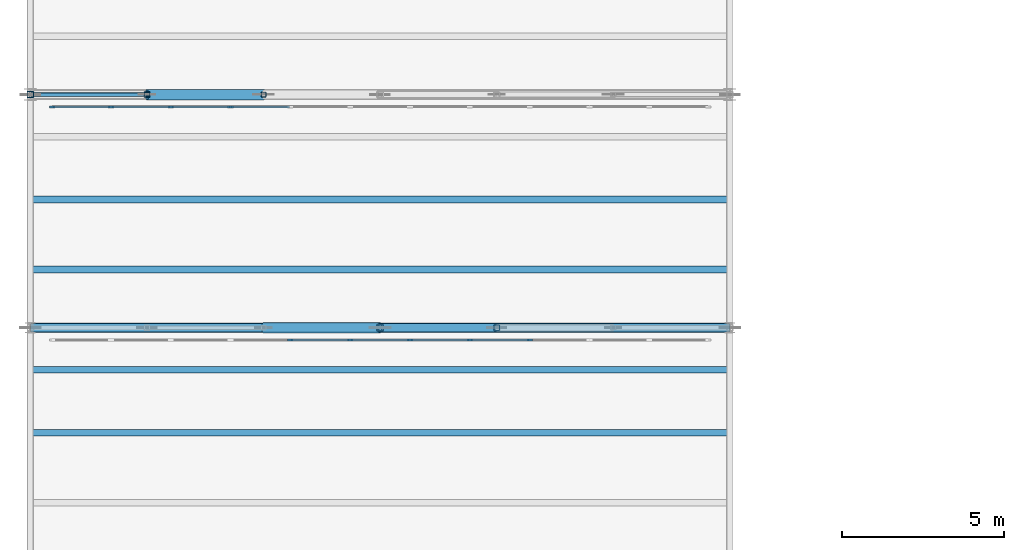
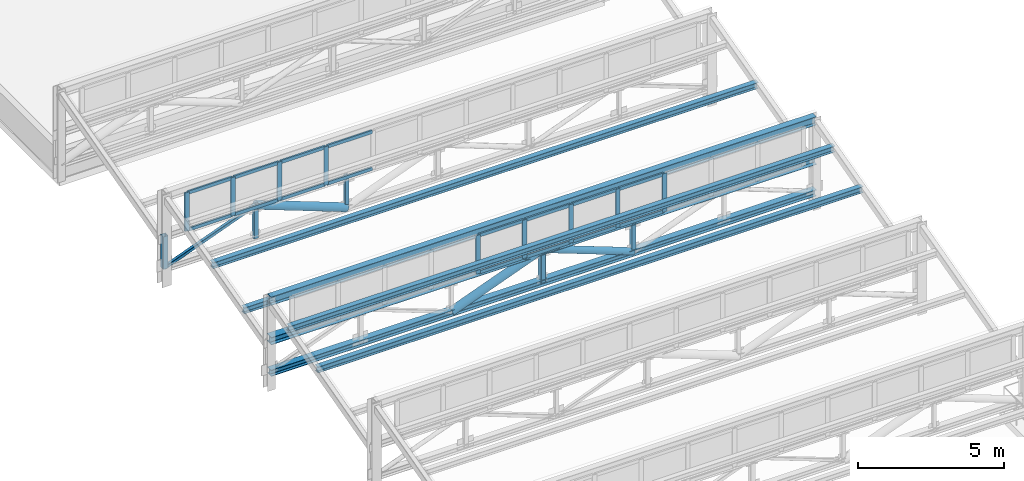
# One storey, part 16 of 55: 36 members, 5 beams, 2 elements without a shape of their own.
"""IFC4 building model written with IfcOpenShell, lengths in metres."""

from ifc_helpers import new_model, si_unit, direction, frame, origin, origin_2d, place, context, subcontext, project, spatial, rectangle, hollow_rectangle, hollow_circle, i_section, extrude, material, layer, layer_set, material_profile, profile_set, type_object, element, aggregate, save


model = new_model("IFC4")

# Units and contexts
model_context = context("Model", 3, precision=1e-05, world=origin(), true_north=direction((0.0, 1.0)))
body_context = subcontext(model_context, "Body", "Model", "MODEL_VIEW")
ifc_project = project(units=[si_unit("LENGTHUNIT", "METRE"), si_unit("AREAUNIT", "SQUARE_METRE"), si_unit("VOLUMEUNIT", "CUBIC_METRE"), si_unit("PLANEANGLEUNIT", "RADIAN"), si_unit("MASSUNIT", "GRAM", prefix="KILO")], contexts=[model_context])

# Site, building, storey
site_placement = place(None, origin())
site = spatial("IfcSite", under=ifc_project, at=site_placement, CompositionType="ELEMENT")
building_placement = place(site_placement, origin())
building = spatial("IfcBuilding", under=site, at=building_placement, Name="Solenvale Faculty of Natural Sciences", CompositionType="ELEMENT")
storey_placement = place(building_placement, frame((0.0, 0.0, 22.5)))
storey = spatial("IfcBuildingStorey", under=building, at=storey_placement, Name="L05", CompositionType="ELEMENT", Elevation=22.5)

# Beams
ifc_material_1 = material(Name="Steel S355", Category="steel")
ifc_material_profile_1 = material_profile(ifc_material_1, i_section(OverallWidth=0.202880859375, OverallDepth=0.251953125, WebThickness=0.008056640625, FlangeThickness=0.013427734375, FilletRadius=0.012939453125, at=origin_2d()), Name="W250x58")
ifc_profile_set_1 = profile_set([ifc_material_profile_1], Name="Steel S355")
beam_type_1 = type_object("IfcBeamType", Name="BM-PRL-W250x58", PredefinedType="JOIST", material=ifc_profile_set_1)
for number, where, z_axis, x_axis, name in (
    (1, (36.0, 47.159912109375, 2.773681640625), (1.0, 0.0, 0.0), (0.0, 1.0, 0.0), "V3 Sawtooth Purlin 5.1.2"),
    (2, (36.0, 49.10400390625, 3.294921875), (1.0, 0.0, 0.0), (0.0, 1.0, 0.0), "V3 Sawtooth Purlin 5.1.3"),
    (3, (36.0, 52.199951171875, 2.19482421875), (1.0, 0.0, 0.0), (0.0, 1.0, 0.0), "V3 Sawtooth Purlin 6.1.1"),
    (4, (36.0, 54.360107421875, 2.773681640625), (1.0, 0.0, 0.0), (0.0, 1.0, 0.0), "V3 Sawtooth Purlin 6.1.2"),
):
    element("IfcBeam", number, at=place(storey_placement, frame(where, z_axis=z_axis, x_axis=x_axis)), inside=storey, type_object=beam_type_1, Name=name, PredefinedType="JOIST", context=body_context, shape_type="SweptSolid", body=[
        extrude(i_section(OverallWidth=0.202880859375, OverallDepth=0.251953125, WebThickness=0.008056640625, FlangeThickness=0.013427734375, FilletRadius=0.012939453125, at=origin_2d()), origin(), (0.0, 0.0, 1.0), 21.60009765625),
    ])
ifc_material_profile_2 = material_profile(ifc_material_1, i_section(OverallWidth=0.2548828125, OverallDepth=0.35693359375, WebThickness=0.010498046875, FlangeThickness=0.018310546875, FilletRadius=0.014892578125, at=origin_2d()), Name="W360x101")
ifc_profile_set_2 = profile_set([ifc_material_profile_2], Name="Steel S355")
beam_type_2 = type_object("IfcBeamType", Name="BM-STL-W360x101", PredefinedType="JOIST", material=ifc_profile_set_2)
beam_placement = place(storey_placement, frame((36.0, 50.39990234375, 3.705078125), z_axis=(1.0, 0.0, 0.0), x_axis=(0.0, 1.0, 0.0)))
element("IfcBeam", 5, at=beam_placement, inside=storey, type_object=beam_type_2, Name="V3 Sawtooth Clerestory Ridge Beam 5.1", PredefinedType="JOIST", context=body_context, shape_type="SweptSolid", body=[
    extrude(i_section(OverallWidth=0.2548828125, OverallDepth=0.35693359375, WebThickness=0.010498046875, FlangeThickness=0.018310546875, FilletRadius=0.014892578125, at=origin_2d()), origin(), (0.0, 0.0, 1.0), 21.60009765625),
])

# Curtain wall, members
ifc_material_2 = material(Name="Anodised bronze aluminium", Category="aluminium")
ifc_layer = layer(ifc_material_2, 0.1650390625)
ifc_layer_set = layer_set([ifc_layer], Name="Anodised bronze aluminium")
curtain_wall_type = type_object("IfcCurtainWallType", Name="CW-SAW-CLR", PredefinedType="USERDEFINED", material=ifc_layer_set)
curtain_wall_1_placement = place(storey_placement, origin())
curtain_wall_1 = element("IfcCurtainWall", 6, at=curtain_wall_1_placement, inside=storey, type_object=curtain_wall_type, Name="L05 Curtain Wall SAW-V3-CW-5-1", ObjectType="NORTH LIGHT CLERESTORY", PredefinedType="USERDEFINED")
ifc_material_profile_3 = material_profile(ifc_material_2, rectangle(XDim=0.06494140625, YDim=0.175048828125, at=origin_2d()), Name="ALU-MUL-65x175")
ifc_profile_set_3 = profile_set([ifc_material_profile_3], Name="Anodised bronze aluminium")
member_type_1 = type_object("IfcMemberType", Name="CWM-ALU-65x175", PredefinedType="MULLION", material=ifc_profile_set_3)
member_1_placement = place(storey_placement, frame((51.418212890625, 50.02001953125, 2.22998046875), z_axis=(0.0, 0.0, 1.0), x_axis=(0.0, -1.0, 0.0)))
member_1 = element("IfcMember", 7, at=member_1_placement, type_object=member_type_1, Name="CW-05 mullion 4", PredefinedType="MULLION", context=body_context, shape_type="SweptSolid", body=[
    extrude(rectangle(XDim=0.06494140625, YDim=0.175048828125, at=origin_2d()), origin(), (0.0, 0.0, 1.0), 1.610107421875),
])
member_2_placement = place(storey_placement, frame((49.57080078125, 50.02001953125, 2.22998046875), z_axis=(0.0, 0.0, 1.0), x_axis=(0.0, -1.0, 0.0)))
member_2 = element("IfcMember", 8, at=member_2_placement, type_object=member_type_1, Name="CW-05 mullion 5", PredefinedType="MULLION", context=body_context, shape_type="SweptSolid", body=[
    extrude(rectangle(XDim=0.06494140625, YDim=0.175048828125, at=origin_2d()), origin(), (0.0, 0.0, 1.0), 1.610107421875),
])
member_3_placement = place(storey_placement, frame((47.7236328125, 50.02001953125, 2.22998046875), z_axis=(0.0, 0.0, 1.0), x_axis=(0.0, -1.0, 0.0)))
member_3 = element("IfcMember", 9, at=member_3_placement, type_object=member_type_1, Name="CW-05 mullion 6", PredefinedType="MULLION", context=body_context, shape_type="SweptSolid", body=[
    extrude(rectangle(XDim=0.06494140625, YDim=0.175048828125, at=origin_2d()), origin(), (0.0, 0.0, 1.0), 1.610107421875),
])
member_4_placement = place(storey_placement, frame((45.87646484375, 50.02001953125, 2.22998046875), z_axis=(0.0, 0.0, 1.0), x_axis=(0.0, -1.0, 0.0)))
member_4 = element("IfcMember", 10, at=member_4_placement, type_object=member_type_1, Name="CW-05 mullion 7", PredefinedType="MULLION", context=body_context, shape_type="SweptSolid", body=[
    extrude(rectangle(XDim=0.06494140625, YDim=0.175048828125, at=origin_2d()), origin(), (0.0, 0.0, 1.0), 1.610107421875),
])
member_5_placement = place(storey_placement, frame((44.029052734375, 50.02001953125, 2.22998046875), z_axis=(0.0, 0.0, 1.0), x_axis=(0.0, -1.0, 0.0)))
member_5 = element("IfcMember", 11, at=member_5_placement, type_object=member_type_1, Name="CW-05 mullion 8", PredefinedType="MULLION", context=body_context, shape_type="SweptSolid", body=[
    extrude(rectangle(XDim=0.06494140625, YDim=0.175048828125, at=origin_2d()), origin(), (0.0, 0.0, 1.0), 1.610107421875),
])

curtain_wall_2_placement = place(storey_placement, origin())
curtain_wall_2 = element("IfcCurtainWall", 12, at=curtain_wall_2_placement, inside=storey, type_object=curtain_wall_type, Name="L05 Curtain Wall SAW-V3-CW-6-1", ObjectType="NORTH LIGHT CLERESTORY", PredefinedType="USERDEFINED")
member_6_placement = place(storey_placement, frame((42.181884765625, 57.219970703125, 2.22998046875), z_axis=(0.0, 0.0, 1.0), x_axis=(0.0, -1.0, 0.0)))
member_6 = element("IfcMember", 13, at=member_6_placement, type_object=member_type_1, Name="CW-05 mullion 9", PredefinedType="MULLION", context=body_context, shape_type="SweptSolid", body=[
    extrude(rectangle(XDim=0.06494140625, YDim=0.175048828125, at=origin_2d()), origin(), (0.0, 0.0, 1.0), 1.610107421875),
])
member_7_placement = place(storey_placement, frame((40.33447265625, 57.219970703125, 2.22998046875), z_axis=(0.0, 0.0, 1.0), x_axis=(0.0, -1.0, 0.0)))
member_7 = element("IfcMember", 14, at=member_7_placement, type_object=member_type_1, Name="CW-05 mullion 10", PredefinedType="MULLION", context=body_context, shape_type="SweptSolid", body=[
    extrude(rectangle(XDim=0.06494140625, YDim=0.175048828125, at=origin_2d()), origin(), (0.0, 0.0, 1.0), 1.610107421875),
])
member_8_placement = place(storey_placement, frame((38.4873046875, 57.219970703125, 2.22998046875), z_axis=(0.0, 0.0, 1.0), x_axis=(0.0, -1.0, 0.0)))
member_8 = element("IfcMember", 15, at=member_8_placement, type_object=member_type_1, Name="CW-05 mullion 11", PredefinedType="MULLION", context=body_context, shape_type="SweptSolid", body=[
    extrude(rectangle(XDim=0.06494140625, YDim=0.175048828125, at=origin_2d()), origin(), (0.0, 0.0, 1.0), 1.610107421875),
])
member_9_placement = place(storey_placement, frame((36.672607421875, 57.219970703125, 2.22998046875), z_axis=(0.0, 0.0, 1.0), x_axis=(0.0, -1.0, 0.0)))
member_9 = element("IfcMember", 16, at=member_9_placement, type_object=member_type_1, Name="CW-05 mullion 12", PredefinedType="MULLION", context=body_context, shape_type="SweptSolid", body=[
    extrude(rectangle(XDim=0.06494140625, YDim=0.175048828125, at=origin_2d()), origin(), (0.0, 0.0, 1.0), 1.610107421875),
])

# Member
ifc_material_profile_4 = material_profile(ifc_material_2, rectangle(XDim=0.06494140625, YDim=0.135009765625, at=origin_2d()), Name="ALU-TRN-65x135")
ifc_profile_set_4 = profile_set([ifc_material_profile_4], Name="Anodised bronze aluminium")
member_type_2 = type_object("IfcMemberType", Name="CWT-ALU-65x135", PredefinedType="USERDEFINED", material=ifc_profile_set_4)
member_10_placement = place(storey_placement, frame((51.3857421875, 50.02001953125, 2.262451171875), z_axis=(-1.0, 0.0, 0.0), x_axis=(0.0, -1.0, 0.0)))
member_10 = element("IfcMember", 17, at=member_10_placement, type_object=member_type_2, Name="CW-05 transom 4.1", ObjectType="TRANSOM", PredefinedType="USERDEFINED", context=body_context, shape_type="SweptSolid", body=[
    extrude(rectangle(XDim=0.06494140625, YDim=0.135009765625, at=origin_2d()), origin(), (0.0, 0.0, 1.0), 1.7822265625),
])

member_11_placement = place(storey_placement, frame((51.3857421875, 50.02001953125, 3.8076171875), z_axis=(-1.0, 0.0, 0.0), x_axis=(0.0, -1.0, 0.0)))
member_11 = element("IfcMember", 18, at=member_11_placement, type_object=member_type_2, Name="CW-05 transom 4.2", ObjectType="TRANSOM", PredefinedType="USERDEFINED", context=body_context, shape_type="SweptSolid", body=[
    extrude(rectangle(XDim=0.06494140625, YDim=0.135009765625, at=origin_2d()), origin(), (0.0, 0.0, 1.0), 1.7822265625),
])

member_12_placement = place(storey_placement, frame((49.538330078125, 50.02001953125, 2.262451171875), z_axis=(-1.0, 0.0, 0.0), x_axis=(0.0, -1.0, 0.0)))
member_12 = element("IfcMember", 19, at=member_12_placement, type_object=member_type_2, Name="CW-05 transom 5.1", ObjectType="TRANSOM", PredefinedType="USERDEFINED", context=body_context, shape_type="SweptSolid", body=[
    extrude(rectangle(XDim=0.06494140625, YDim=0.135009765625, at=origin_2d()), origin(), (0.0, 0.0, 1.0), 1.7822265625),
])

member_13_placement = place(storey_placement, frame((49.538330078125, 50.02001953125, 3.8076171875), z_axis=(-1.0, 0.0, 0.0), x_axis=(0.0, -1.0, 0.0)))
member_13 = element("IfcMember", 20, at=member_13_placement, type_object=member_type_2, Name="CW-05 transom 5.2", ObjectType="TRANSOM", PredefinedType="USERDEFINED", context=body_context, shape_type="SweptSolid", body=[
    extrude(rectangle(XDim=0.06494140625, YDim=0.135009765625, at=origin_2d()), origin(), (0.0, 0.0, 1.0), 1.7822265625),
])

member_14_placement = place(storey_placement, frame((47.691162109375, 50.02001953125, 2.262451171875), z_axis=(-1.0, 0.0, 0.0), x_axis=(0.0, -1.0, 0.0)))
member_14 = element("IfcMember", 21, at=member_14_placement, type_object=member_type_2, Name="CW-05 transom 6.1", ObjectType="TRANSOM", PredefinedType="USERDEFINED", context=body_context, shape_type="SweptSolid", body=[
    extrude(rectangle(XDim=0.06494140625, YDim=0.135009765625, at=origin_2d()), origin(), (0.0, 0.0, 1.0), 1.7822265625),
])

member_15_placement = place(storey_placement, frame((47.691162109375, 50.02001953125, 3.8076171875), z_axis=(-1.0, 0.0, 0.0), x_axis=(0.0, -1.0, 0.0)))
member_15 = element("IfcMember", 22, at=member_15_placement, type_object=member_type_2, Name="CW-05 transom 6.2", ObjectType="TRANSOM", PredefinedType="USERDEFINED", context=body_context, shape_type="SweptSolid", body=[
    extrude(rectangle(XDim=0.06494140625, YDim=0.135009765625, at=origin_2d()), origin(), (0.0, 0.0, 1.0), 1.7822265625),
])

member_16_placement = place(storey_placement, frame((45.84375, 50.02001953125, 2.262451171875), z_axis=(-1.0, 0.0, 0.0), x_axis=(0.0, -1.0, 0.0)))
member_16 = element("IfcMember", 23, at=member_16_placement, type_object=member_type_2, Name="CW-05 transom 7.1", ObjectType="TRANSOM", PredefinedType="USERDEFINED", context=body_context, shape_type="SweptSolid", body=[
    extrude(rectangle(XDim=0.06494140625, YDim=0.135009765625, at=origin_2d()), origin(), (0.0, 0.0, 1.0), 1.7822265625),
])

member_17_placement = place(storey_placement, frame((45.84375, 50.02001953125, 3.8076171875), z_axis=(-1.0, 0.0, 0.0), x_axis=(0.0, -1.0, 0.0)))
member_17 = element("IfcMember", 24, at=member_17_placement, type_object=member_type_2, Name="CW-05 transom 7.2", ObjectType="TRANSOM", PredefinedType="USERDEFINED", context=body_context, shape_type="SweptSolid", body=[
    extrude(rectangle(XDim=0.06494140625, YDim=0.135009765625, at=origin_2d()), origin(), (0.0, 0.0, 1.0), 1.7822265625),
])

aggregate(curtain_wall_1, [member_1, member_2, member_3, member_4, member_5, member_10, member_11, member_12, member_13, member_14, member_15, member_16, member_17])

member_18_placement = place(storey_placement, frame((43.99658203125, 57.219970703125, 2.262451171875), z_axis=(-1.0, 0.0, 0.0), x_axis=(0.0, -1.0, 0.0)))
member_18 = element("IfcMember", 25, at=member_18_placement, type_object=member_type_2, Name="CW-05 transom 8.1", ObjectType="TRANSOM", PredefinedType="USERDEFINED", context=body_context, shape_type="SweptSolid", body=[
    extrude(rectangle(XDim=0.06494140625, YDim=0.135009765625, at=origin_2d()), origin(), (0.0, 0.0, 1.0), 1.7822265625),
])

member_19_placement = place(storey_placement, frame((43.99658203125, 57.219970703125, 3.8076171875), z_axis=(-1.0, 0.0, 0.0), x_axis=(0.0, -1.0, 0.0)))
member_19 = element("IfcMember", 26, at=member_19_placement, type_object=member_type_2, Name="CW-05 transom 8.2", ObjectType="TRANSOM", PredefinedType="USERDEFINED", context=body_context, shape_type="SweptSolid", body=[
    extrude(rectangle(XDim=0.06494140625, YDim=0.135009765625, at=origin_2d()), origin(), (0.0, 0.0, 1.0), 1.7822265625),
])

member_20_placement = place(storey_placement, frame((42.1494140625, 57.219970703125, 2.262451171875), z_axis=(-1.0, 0.0, 0.0), x_axis=(0.0, -1.0, 0.0)))
member_20 = element("IfcMember", 27, at=member_20_placement, type_object=member_type_2, Name="CW-05 transom 9.1", ObjectType="TRANSOM", PredefinedType="USERDEFINED", context=body_context, shape_type="SweptSolid", body=[
    extrude(rectangle(XDim=0.06494140625, YDim=0.135009765625, at=origin_2d()), origin(), (0.0, 0.0, 1.0), 1.782470703125),
])

member_21_placement = place(storey_placement, frame((42.1494140625, 57.219970703125, 3.8076171875), z_axis=(-1.0, 0.0, 0.0), x_axis=(0.0, -1.0, 0.0)))
member_21 = element("IfcMember", 28, at=member_21_placement, type_object=member_type_2, Name="CW-05 transom 9.2", ObjectType="TRANSOM", PredefinedType="USERDEFINED", context=body_context, shape_type="SweptSolid", body=[
    extrude(rectangle(XDim=0.06494140625, YDim=0.135009765625, at=origin_2d()), origin(), (0.0, 0.0, 1.0), 1.782470703125),
])

member_22_placement = place(storey_placement, frame((40.302001953125, 57.219970703125, 2.262451171875), z_axis=(-1.0, 0.0, 0.0), x_axis=(0.0, -1.0, 0.0)))
member_22 = element("IfcMember", 29, at=member_22_placement, type_object=member_type_2, Name="CW-05 transom 10.1", ObjectType="TRANSOM", PredefinedType="USERDEFINED", context=body_context, shape_type="SweptSolid", body=[
    extrude(rectangle(XDim=0.06494140625, YDim=0.135009765625, at=origin_2d()), origin(), (0.0, 0.0, 1.0), 1.7822265625),
])

member_23_placement = place(storey_placement, frame((40.302001953125, 57.219970703125, 3.8076171875), z_axis=(-1.0, 0.0, 0.0), x_axis=(0.0, -1.0, 0.0)))
member_23 = element("IfcMember", 30, at=member_23_placement, type_object=member_type_2, Name="CW-05 transom 10.2", ObjectType="TRANSOM", PredefinedType="USERDEFINED", context=body_context, shape_type="SweptSolid", body=[
    extrude(rectangle(XDim=0.06494140625, YDim=0.135009765625, at=origin_2d()), origin(), (0.0, 0.0, 1.0), 1.7822265625),
])

member_24_placement = place(storey_placement, frame((38.454833984375, 57.219970703125, 2.262451171875), z_axis=(-1.0, 0.0, 0.0), x_axis=(0.0, -1.0, 0.0)))
member_24 = element("IfcMember", 31, at=member_24_placement, type_object=member_type_2, Name="CW-05 transom 11.1", ObjectType="TRANSOM", PredefinedType="USERDEFINED", context=body_context, shape_type="SweptSolid", body=[
    extrude(rectangle(XDim=0.06494140625, YDim=0.135009765625, at=origin_2d()), origin(), (0.0, 0.0, 1.0), 1.749755859375),
])

member_25_placement = place(storey_placement, frame((38.454833984375, 57.219970703125, 3.8076171875), z_axis=(-1.0, 0.0, 0.0), x_axis=(0.0, -1.0, 0.0)))
member_25 = element("IfcMember", 32, at=member_25_placement, type_object=member_type_2, Name="CW-05 transom 11.2", ObjectType="TRANSOM", PredefinedType="USERDEFINED", context=body_context, shape_type="SweptSolid", body=[
    extrude(rectangle(XDim=0.06494140625, YDim=0.135009765625, at=origin_2d()), origin(), (0.0, 0.0, 1.0), 1.749755859375),
])

aggregate(curtain_wall_2, [member_6, member_7, member_8, member_9, member_18, member_19, member_20, member_21, member_22, member_23, member_24, member_25])

# Members
ifc_material_profile_5 = material_profile(ifc_material_1, hollow_circle(Radius=0.136474609375, WallThickness=0.010986328125, at=origin_2d()), Name="HSS273x11")
ifc_profile_set_5 = profile_set([ifc_material_profile_5], Name="Steel S355")
member_type_3 = type_object("IfcMemberType", Name="MB-BRC-CHS273", PredefinedType="BRACE", material=ifc_profile_set_5)
member_26_placement = place(storey_placement, frame((46.800048828125, 50.39990234375, 2.050048828125), z_axis=(0.935458110384, 0.0, -0.353437581075), x_axis=(0.0, 1.0, 0.0)))
element("IfcMember", 33, at=member_26_placement, inside=storey, type_object=member_type_3, Name="V3 Truss 5.1 Diagonal 4", PredefinedType="BRACE", context=body_context, shape_type="SweptSolid", body=[
    extrude(hollow_circle(Radius=0.136474609375, WallThickness=0.010986328125, at=origin_2d()), origin(), (0.0, 0.0, 1.0), 3.84814453125),
])
ifc_material_profile_6 = material_profile(ifc_material_1, hollow_circle(Radius=0.161865234375, WallThickness=0.0126953125, at=origin_2d()), Name="HSS324x13")
ifc_profile_set_6 = profile_set([ifc_material_profile_6], Name="Steel S355")
member_type_4 = type_object("IfcMemberType", Name="MB-BRC-CHS324", PredefinedType="BRACE", material=ifc_profile_set_6)
member_27_placement = place(storey_placement, frame((43.199951171875, 50.39990234375, 0.68994140625), z_axis=(0.935466034784, 0.0, 0.353416606522), x_axis=(0.0, 1.0, 0.0)))
element("IfcMember", 34, at=member_27_placement, inside=storey, type_object=member_type_4, Name="V3 Truss 5.1 Diagonal 3", PredefinedType="BRACE", context=body_context, shape_type="SweptSolid", body=[
    extrude(hollow_circle(Radius=0.161865234375, WallThickness=0.0126953125, at=origin_2d()), origin(), (0.0, 0.0, 1.0), 3.848388671875),
])
member_28_placement = place(storey_placement, frame((39.60009765625, 57.60009765625, 2.050048828125), z_axis=(0.935458110384, 0.0, -0.353437581075), x_axis=(0.0, 1.0, 0.0)))
element("IfcMember", 35, at=member_28_placement, inside=storey, type_object=member_type_4, Name="V3 Truss 6.1 Diagonal 2", PredefinedType="BRACE", context=body_context, shape_type="SweptSolid", body=[
    extrude(hollow_circle(Radius=0.161865234375, WallThickness=0.0126953125, at=origin_2d()), origin(), (0.0, 0.0, 1.0), 3.84814453125),
])
ifc_material_profile_7 = material_profile(ifc_material_1, hollow_rectangle(XDim=0.126953125, YDim=0.126953125, WallThickness=0.008056640625, InnerFilletRadius=0.008056640625, OuterFilletRadius=0.01611328125, at=origin_2d()), Name="HSS127x127x8.0")
ifc_profile_set_7 = profile_set([ifc_material_profile_7], Name="Steel S355")
member_type_5 = type_object("IfcMemberType", Name="MB-BRC-HSS127", PredefinedType="BRACE", material=ifc_profile_set_7)
member_29_placement = place(storey_placement, frame((36.0, 57.60009765625, 0.68994140625), z_axis=(0.935466034784, 0.0, 0.353416606522), x_axis=(0.0, 1.0, 0.0)))
element("IfcMember", 36, at=member_29_placement, inside=storey, type_object=member_type_5, Name="V3 Truss 6.1 Diagonal 1", PredefinedType="BRACE", context=body_context, shape_type="SweptSolid", body=[
    extrude(hollow_rectangle(XDim=0.126953125, YDim=0.126953125, WallThickness=0.008056640625, InnerFilletRadius=0.008056640625, OuterFilletRadius=0.01611328125, at=origin_2d()), origin(), (0.0, 0.0, 1.0), 3.848388671875),
])
ifc_material_profile_8 = material_profile(ifc_material_1, i_section(OverallWidth=0.256103515625, OverallDepth=0.260009765625, WebThickness=0.0107421875, FlangeThickness=0.017333984375, FilletRadius=0.012939453125, at=origin_2d()), Name="W250x89")
ifc_profile_set_8 = profile_set([ifc_material_profile_8], Name="Steel S355")
member_type_6 = type_object("IfcMemberType", Name="MB-CHD-W250x89", PredefinedType="CHORD", material=ifc_profile_set_8)
member_30_placement = place(storey_placement, frame((36.0, 50.39990234375, 0.68994140625), z_axis=(1.0, 0.0, 0.0), x_axis=(0.0, 1.0, 0.0)))
element("IfcMember", 37, at=member_30_placement, inside=storey, type_object=member_type_6, Name="V3 Truss 5.1 Bottom Chord", PredefinedType="CHORD", context=body_context, shape_type="SweptSolid", body=[
    extrude(i_section(OverallWidth=0.256103515625, OverallDepth=0.260009765625, WebThickness=0.0107421875, FlangeThickness=0.017333984375, FilletRadius=0.012939453125, at=origin_2d()), origin(), (0.0, 0.0, 1.0), 21.60009765625),
])
ifc_material_profile_9 = material_profile(ifc_material_1, i_section(OverallWidth=0.304931640625, OverallDepth=0.30810546875, WebThickness=0.010009765625, FlangeThickness=0.015380859375, FilletRadius=0.014892578125, at=origin_2d()), Name="W310x97")
ifc_profile_set_9 = profile_set([ifc_material_profile_9], Name="Steel S355")
member_type_7 = type_object("IfcMemberType", Name="MB-CHD-W310x97", PredefinedType="CHORD", material=ifc_profile_set_9)
member_31_placement = place(storey_placement, frame((36.0, 50.39990234375, 2.050048828125), z_axis=(1.0, 0.0, 0.0), x_axis=(0.0, 1.0, 0.0)))
element("IfcMember", 38, at=member_31_placement, inside=storey, type_object=member_type_7, Name="V3 Truss 5.1 Top Chord", PredefinedType="CHORD", context=body_context, shape_type="SweptSolid", body=[
    extrude(i_section(OverallWidth=0.304931640625, OverallDepth=0.30810546875, WebThickness=0.010009765625, FlangeThickness=0.015380859375, FilletRadius=0.014892578125, at=origin_2d()), origin(), (0.0, 0.0, 1.0), 21.60009765625),
])
ifc_material_profile_10 = material_profile(ifc_material_1, hollow_rectangle(XDim=0.152099609375, YDim=0.152099609375, WallThickness=0.009521484375, InnerFilletRadius=0.009521484375, OuterFilletRadius=0.01904296875, at=origin_2d()), Name="HSS152x152x9.5")
ifc_profile_set_10 = profile_set([ifc_material_profile_10], Name="Steel S355")
member_type_8 = type_object("IfcMemberType", Name="MB-STR-HSS152", PredefinedType="STRUT", material=ifc_profile_set_10)
member_32_placement = place(storey_placement, frame((43.199951171875, 57.60009765625, 0.68994140625), z_axis=(0.0, 0.0, 1.0), x_axis=(1.0, 0.0, 0.0)))
element("IfcMember", 39, at=member_32_placement, inside=storey, type_object=member_type_8, Name="V3 Truss 6.1 Strut 2", PredefinedType="STRUT", context=body_context, shape_type="SweptSolid", body=[
    extrude(hollow_rectangle(XDim=0.152099609375, YDim=0.152099609375, WallThickness=0.009521484375, InnerFilletRadius=0.009521484375, OuterFilletRadius=0.01904296875, at=origin_2d()), origin(), (0.0, 0.0, 1.0), 1.360107421875),
])
ifc_material_profile_11 = material_profile(ifc_material_1, hollow_rectangle(XDim=0.177978515625, YDim=0.177978515625, WallThickness=0.009521484375, InnerFilletRadius=0.009521484375, OuterFilletRadius=0.01904296875, at=origin_2d()), Name="HSS178x178x9.5")
ifc_profile_set_11 = profile_set([ifc_material_profile_11], Name="Steel S355")
member_type_9 = type_object("IfcMemberType", Name="MB-STR-HSS178", PredefinedType="STRUT", material=ifc_profile_set_11)
for number, where, z_axis, x_axis, name in (
    (40, (50.39990234375, 50.39990234375, 0.68994140625), (0.0, 0.0, 1.0), (1.0, 0.0, 0.0), "V3 Truss 5.1 Strut 4"),
    (41, (39.60009765625, 57.60009765625, 0.68994140625), (0.0, 0.0, 1.0), (1.0, 0.0, 0.0), "V3 Truss 6.1 Strut 1"),
):
    element("IfcMember", number, at=place(storey_placement, frame(where, z_axis=z_axis, x_axis=x_axis)), inside=storey, type_object=member_type_9, Name=name, PredefinedType="STRUT", context=body_context, shape_type="SweptSolid", body=[
        extrude(hollow_rectangle(XDim=0.177978515625, YDim=0.177978515625, WallThickness=0.009521484375, InnerFilletRadius=0.009521484375, OuterFilletRadius=0.01904296875, at=origin_2d()), origin(), (0.0, 0.0, 1.0), 1.360107421875),
    ])
ifc_material_profile_12 = material_profile(ifc_material_1, hollow_rectangle(XDim=0.202880859375, YDim=0.202880859375, WallThickness=0.0126953125, InnerFilletRadius=0.0126953125, OuterFilletRadius=0.025390625, at=origin_2d()), Name="HSS203x203x13")
ifc_profile_set_12 = profile_set([ifc_material_profile_12], Name="Steel S355")
member_type_10 = type_object("IfcMemberType", Name="MB-STR-HSS203", PredefinedType="STRUT", material=ifc_profile_set_12)
for number, where, z_axis, x_axis, name in (
    (42, (46.800048828125, 50.39990234375, 0.68994140625), (0.0, 0.0, 1.0), (1.0, 0.0, 0.0), "V3 Truss 5.1 Strut 3"),
    (43, (36.0, 57.60009765625, 0.68994140625), (0.0, 0.0, 1.0), (1.0, 0.0, 0.0), "V3 Truss 6.1 Strut 0"),
):
    element("IfcMember", number, at=place(storey_placement, frame(where, z_axis=z_axis, x_axis=x_axis)), inside=storey, type_object=member_type_10, Name=name, PredefinedType="STRUT", context=body_context, shape_type="SweptSolid", body=[
        extrude(hollow_rectangle(XDim=0.202880859375, YDim=0.202880859375, WallThickness=0.0126953125, InnerFilletRadius=0.0126953125, OuterFilletRadius=0.025390625, at=origin_2d()), origin(), (0.0, 0.0, 1.0), 1.360107421875),
    ])

save(model, "model.ifc")
